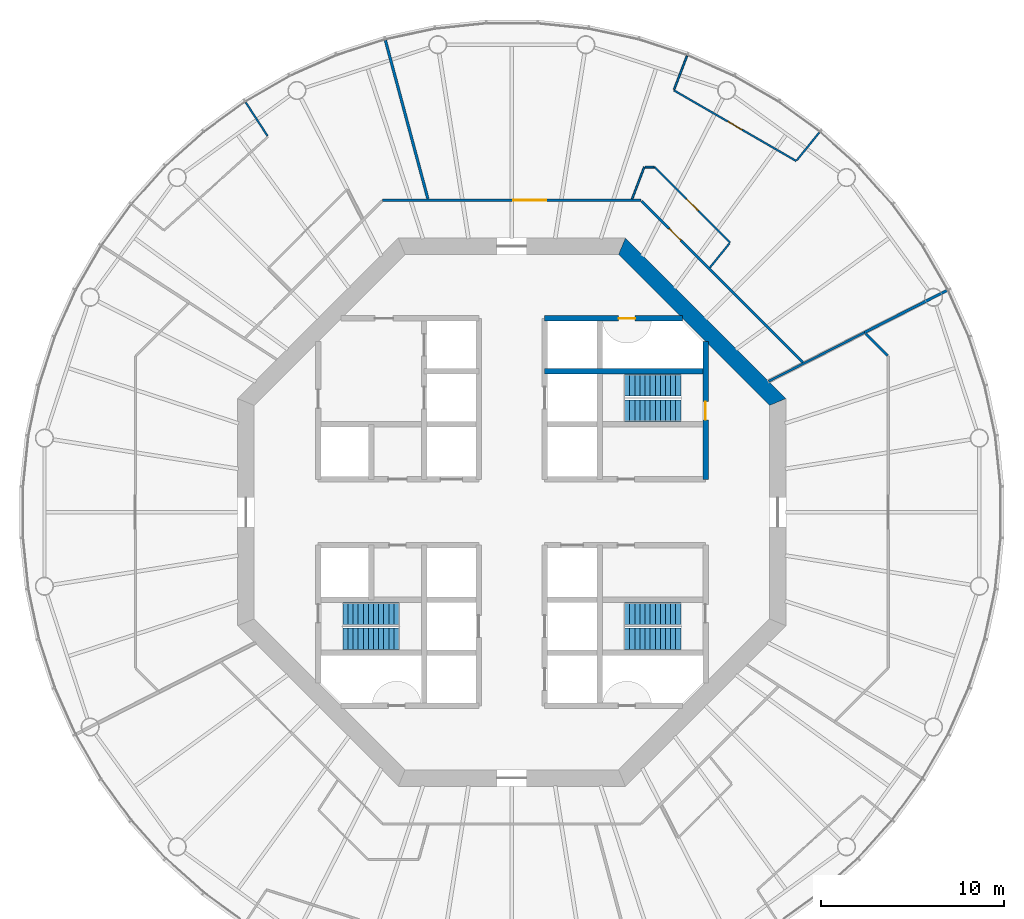
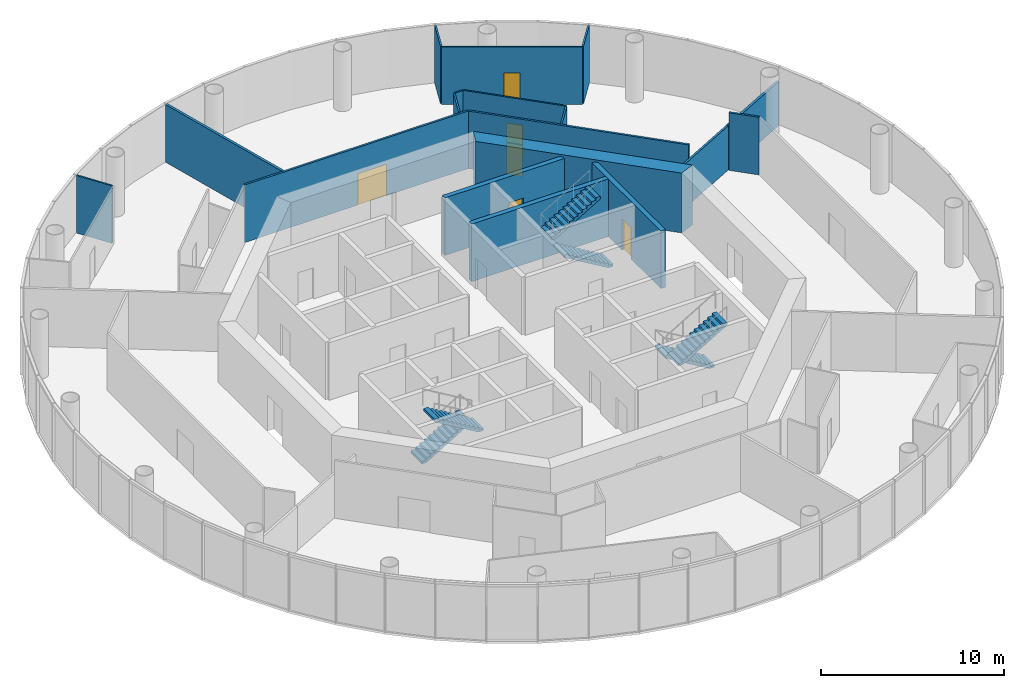
# One storey, part 5 of 12: 18 walls, 6 doors, 6 stair flights, 6 openings, 3 elements without a shape of their own.
"""IFC4 building model written with IfcOpenShell, lengths in metres."""

from ifc_helpers import new_model, si_unit, direction, frame, frame_2d, origin, place, context, subcontext, project, spatial, polyline, rectangle, outline, extrude, material, layer, layer_set, type_object, element, fill, aggregate, save


model = new_model("IFC4")

# Units and contexts
model_context = context("Model", 3, precision=1e-05, world=origin(), true_north=direction((0.0, 1.0)))
body_context = subcontext(model_context, "Body", "Model", "MODEL_VIEW")
ifc_project = project(units=[si_unit("LENGTHUNIT", "METRE"), si_unit("AREAUNIT", "SQUARE_METRE"), si_unit("VOLUMEUNIT", "CUBIC_METRE"), si_unit("PLANEANGLEUNIT", "RADIAN"), si_unit("MASSUNIT", "GRAM", prefix="KILO")], contexts=[model_context])

# Site, building, storey
site_placement = place(None, origin())
site = spatial("IfcSite", under=ifc_project, at=site_placement, CompositionType="ELEMENT")
building_placement = place(site_placement, origin())
building = spatial("IfcBuilding", under=site, at=building_placement, Name="Entoto Ring Tower", CompositionType="ELEMENT")
storey_placement = place(building_placement, frame((0.0, 0.0, 222.0)))
storey = spatial("IfcBuildingStorey", under=building, at=storey_placement, Name="L51", CompositionType="ELEMENT", Elevation=222.0)

# Wall, opening, door
ifc_material_1 = material(Name="Concrete C40/50", Category="concrete")
ifc_layer_1 = layer(ifc_material_1, 0.300048828125)
ifc_layer_set_1 = layer_set([ifc_layer_1], Name="Concrete C40/50")
wall_type_1 = type_object("IfcWallType", Name="Core enclosure wall 300 mm reinforced concrete", PredefinedType="SOLIDWALL", material=ifc_layer_set_1)
wall_1_placement = place(storey_placement, frame((100.60009765625, 81.800048828125, 0.0), z_axis=(0.0, 0.0, 1.0), x_axis=(0.0, 1.0, 0.0)))
wall_1 = element("IfcWall", 1, at=wall_1_placement, inside=storey, type_object=wall_type_1, Name="wall-L51-002", PredefinedType="SOLIDWALL", context=body_context, shape_type="SweptSolid", body=[
    extrude(rectangle(XDim=7.540283203125, YDim=0.300048828125, at=frame_2d((3.77001953125, 0.0))), origin(), (0.0, 0.0, 1.0), 3.85009765625),
])
opening_1_placement = place(wall_1_placement, frame((3.25, 0.0, 0.0)))
opening_1 = element("IfcOpeningElement", 2, at=opening_1_placement, cuts=wall_1, Name="Opening K-52", PredefinedType="OPENING", context=body_context, shape_type="SweptSolid", body=[
    extrude(rectangle(XDim=1.0, YDim=2.10009765625, at=frame_2d((0.5, 1.050048828125))), frame((0.0, 0.16015625, 0.0), z_axis=(0.0, -1.0, 0.0), x_axis=(1.0, 0.0, 0.0)), (0.0, 0.0, 1.0), 0.320068359375),
])
ifc_material_2 = material(Name="Steel door leaf, fire rated", Category="steel")
ifc_layer_2 = layer(ifc_material_2, 0.050048828125)
ifc_layer_set_2 = layer_set([ifc_layer_2], Name="Steel door leaf, fire rated")
door_type_1 = type_object("IfcDoorType", Name="Fire door FD60 1000 x 2100 single leaf", OperationType="NOTDEFINED", PredefinedType="DOOR", material=ifc_layer_set_2)
door_1_placement = place(opening_1_placement, origin())
door_1 = element("IfcDoor", 3, at=door_1_placement, inside=storey, type_object=door_type_1, Name="Door K-52", OperationType="SINGLE_SWING_LEFT", OverallHeight=2.10009765625, OverallWidth=1.0, PredefinedType="DOOR", context=body_context, shape_type="SweptSolid", body=[
    extrude(rectangle(XDim=1.0, YDim=2.10009765625, at=frame_2d((0.5, 1.050048828125))), frame((0.0, 0.02490234375, 0.0), z_axis=(0.0, -1.0, 0.0), x_axis=(1.0, 0.0, 0.0)), (0.0, 0.0, 1.0), 0.050048828125),
])
fill(opening_1, door_1)

# Wall
wall_2_placement = place(storey_placement, frame((91.800048828125, 87.699951171875, 0.0), z_axis=(0.0, 0.0, 1.0), x_axis=(1.0, 0.0, 0.0)))
element("IfcWall", 4, at=wall_2_placement, inside=storey, type_object=wall_type_1, Name="wall-L51-028", PredefinedType="SOLIDWALL", context=body_context, shape_type="SweptSolid", body=[
    extrude(rectangle(XDim=8.800048828125, YDim=0.300048828125, at=frame_2d((4.39990234375, 0.0))), origin(), (0.0, 0.0, 1.0), 3.85009765625),
])

# Wall, opening, door
wall_3_placement = place(storey_placement, frame((91.800048828125, 90.60009765625, 0.0), z_axis=(0.0, 0.0, 1.0), x_axis=(1.0, 0.0, 0.0)))
wall_3 = element("IfcWall", 5, at=wall_3_placement, inside=storey, type_object=wall_type_1, Name="wall-L51-030", PredefinedType="SOLIDWALL", context=body_context, shape_type="SweptSolid", body=[
    extrude(rectangle(XDim=7.540283203125, YDim=0.300048828125, at=frame_2d((3.77001953125, 0.0))), origin(), (0.0, 0.0, 1.0), 3.85009765625),
])
opening_2_placement = place(wall_3_placement, frame((4.050048828125, 0.0, 0.0)))
opening_2 = element("IfcOpeningElement", 6, at=opening_2_placement, cuts=wall_3, Name="Opening K-60", PredefinedType="OPENING", context=body_context, shape_type="SweptSolid", body=[
    extrude(rectangle(XDim=0.89990234375, YDim=2.10009765625, at=frame_2d((0.449951171875, 1.050048828125))), frame((0.0, 0.16015625, 0.0), z_axis=(0.0, -1.0, 0.0), x_axis=(1.0, 0.0, 0.0)), (0.0, 0.0, 1.0), 0.320068359375),
])
ifc_material_3 = material(Name="Steel door leaf, fire rated", Category="steel")
ifc_layer_3 = layer(ifc_material_3, 0.050048828125)
ifc_layer_set_3 = layer_set([ifc_layer_3], Name="Steel door leaf, fire rated")
door_type_2 = type_object("IfcDoorType", Name="Riser door FD60 900 x 2100 single leaf", OperationType="NOTDEFINED", PredefinedType="DOOR", material=ifc_layer_set_3)
door_2_placement = place(opening_2_placement, frame((0.89990234375, 0.0, 0.0), z_axis=(0.0, 0.0, 1.0), x_axis=(-1.0, 0.0, 0.0)))
door_2 = element("IfcDoor", 7, at=door_2_placement, inside=storey, type_object=door_type_2, Name="Door K-60", OperationType="SINGLE_SWING_RIGHT", OverallHeight=2.10009765625, OverallWidth=0.89990234375, PredefinedType="DOOR", context=body_context, shape_type="SweptSolid", body=[
    extrude(rectangle(XDim=0.89990234375, YDim=2.10009765625, at=frame_2d((0.449951171875, 1.050048828125))), frame((0.0, 0.02490234375, 0.0), z_axis=(0.0, -1.0, 0.0), x_axis=(1.0, 0.0, 0.0)), (0.0, 0.0, 1.0), 0.050048828125),
])
fill(opening_2, door_2)

# Wall
ifc_material_4 = material(Name="Concrete C50/60", Category="concrete")
ifc_layer_4 = layer(ifc_material_4, 0.89990234375)
ifc_layer_set_4 = layer_set([ifc_layer_4], Name="Concrete C50/60")
wall_type_2 = type_object("IfcWallType", Name="Core shear wall 900 mm reinforced concrete C50/60", PredefinedType="SHEAR", material=ifc_layer_set_4)
wall_4_placement = place(storey_placement, frame((104.550048828125, 86.02685546875, 0.0), z_axis=(0.0, 0.0, 1.0), x_axis=(-0.707106781187, 0.707106781187, 0.0)))
element("IfcWall", 8, at=wall_4_placement, inside=storey, type_object=wall_type_2, Name="wall-L51-core-1", PredefinedType="SHEAR", context=body_context, shape_type="SweptSolid", body=[
    extrude(outline(polyline([(-0.186279296875, -0.449951171875), (12.239990234375, -0.449951171875), (11.867431640625, 0.449951171875), (0.186279296875, 0.449951171875), (-0.186279296875, -0.449951171875)])), origin(), (0.0, 0.0, 1.0), 4.0),
])

# Wall, opening, door
ifc_material_5 = material(Name="Fire-resisting plasterboard on steel studs", Category="steel")
ifc_layer_5 = layer(ifc_material_5, 0.125)
ifc_layer_set_5 = layer_set([ifc_layer_5], Name="Fire-resisting plasterboard on steel studs")
wall_type_3 = type_object("IfcWallType", Name="Corridor wall 125 mm one-hour plasterboard on steel studs", PredefinedType="PARTITIONING", material=ifc_layer_set_5)
wall_5_placement = place(storey_placement, frame((82.9326171875, 97.0625, 0.0), z_axis=(0.0, 0.0, 1.0), x_axis=(1.0, 0.0, 0.0)))
wall_5 = element("IfcWall", 9, at=wall_5_placement, inside=storey, type_object=wall_type_3, Name="partition-L51-004", PredefinedType="PARTITIONING", context=body_context, shape_type="SweptSolid", body=[
    extrude(rectangle(XDim=14.134765625, YDim=0.125, at=frame_2d((7.0673828125, 0.0))), origin(), (0.0, 0.0, 1.0), 3.85009765625),
])
opening_3_placement = place(wall_5_placement, frame((7.156494140625, 0.0, 0.0)))
opening_3 = element("IfcOpeningElement", 10, at=opening_3_placement, cuts=wall_5, Name="Opening A22-D03", PredefinedType="OPENING", context=body_context, shape_type="SweptSolid", body=[
    extrude(rectangle(XDim=1.800048828125, YDim=2.10009765625, at=frame_2d((0.89990234375, 1.050048828125))), frame((0.0, 0.072509765625, 0.0), z_axis=(0.0, -1.0, 0.0), x_axis=(1.0, 0.0, 0.0)), (0.0, 0.0, 1.0), 0.14501953125),
])
ifc_material_6 = material(Name="Fire-resisting timber door set", Category="wood")
door_type_3 = type_object("IfcDoorType", Name="Door 1800 x 2100 double leaf FD30S fire door", OperationType="DOUBLE_DOOR_SINGLE_SWING", PredefinedType="DOOR", material=ifc_material_6)
door_3_placement = place(opening_3_placement, origin())
door_3 = element("IfcDoor", 11, at=door_3_placement, inside=storey, type_object=door_type_3, Name="Door A22-D03", OperationType="DOUBLE_DOOR_SINGLE_SWING", OverallHeight=2.10009765625, OverallWidth=1.800048828125, PredefinedType="DOOR", context=body_context, shape_type="SweptSolid", body=[
    extrude(rectangle(XDim=1.800048828125, YDim=2.10009765625, at=frame_2d((0.89990234375, 1.050048828125))), frame((0.0, 0.02490234375, 0.0), z_axis=(0.0, -1.0, 0.0), x_axis=(1.0, 0.0, 0.0)), (0.0, 0.0, 1.0), 0.050048828125),
])
fill(opening_3, door_3)

wall_6_placement = place(storey_placement, frame((105.924560546875, 88.20556640625, 0.0), z_axis=(0.0, 0.0, 1.0), x_axis=(-0.707106781187, 0.707106781187, 0.0)))
wall_6 = element("IfcWall", 12, at=wall_6_placement, inside=storey, type_object=wall_type_3, Name="partition-L51-006", PredefinedType="PARTITIONING", context=body_context, shape_type="SweptSolid", body=[
    extrude(rectangle(XDim=12.481689453125, YDim=0.125, at=frame_2d((6.24072265625, 0.0))), origin(), (0.0, 0.0, 1.0), 3.85009765625),
])
opening_4_placement = place(wall_6_placement, frame((9.4384765625, 0.0, 0.0)))
opening_4 = element("IfcOpeningElement", 13, at=opening_4_placement, cuts=wall_6, Name="Opening A22-D05", PredefinedType="OPENING", context=body_context, shape_type="SweptSolid", body=[
    extrude(rectangle(XDim=0.89990234375, YDim=2.10009765625, at=frame_2d((0.449951171875, 1.050048828125))), frame((0.0, 0.072509765625, 0.0), z_axis=(0.0, -1.0, 0.0), x_axis=(1.0, 0.0, 0.0)), (0.0, 0.0, 1.0), 0.14501953125),
])
ifc_material_7 = material(Name="Fire-resisting timber door set", Category="wood")
door_type_4 = type_object("IfcDoorType", Name="Door 1000 x 2100 single leaf FD30S fire door", OperationType="NOTDEFINED", PredefinedType="DOOR", material=ifc_material_7)
door_4_placement = place(opening_4_placement, frame((0.89990234375, 0.0, 0.0), z_axis=(0.0, 0.0, 1.0), x_axis=(-1.0, 0.0, 0.0)))
door_4 = element("IfcDoor", 14, at=door_4_placement, inside=storey, type_object=door_type_4, Name="Door A22-D05", OperationType="SINGLE_SWING_RIGHT", OverallHeight=2.10009765625, OverallWidth=0.89990234375, PredefinedType="DOOR", context=body_context, shape_type="SweptSolid", body=[
    extrude(rectangle(XDim=0.89990234375, YDim=2.10009765625, at=frame_2d((0.449951171875, 1.050048828125))), frame((0.0, 0.02490234375, 0.0), z_axis=(0.0, -1.0, 0.0), x_axis=(1.0, 0.0, 0.0)), (0.0, 0.0, 1.0), 0.050048828125),
])
fill(opening_4, door_4)

# Walls
wall_7_placement = place(storey_placement, frame((110.56884765625, 88.56396484375, 0.0), z_axis=(0.0, 0.0, 1.0), x_axis=(-0.707106781187, 0.707106781187, 0.0)))
element("IfcWall", 15, at=wall_7_placement, inside=storey, type_object=wall_type_3, Name="partition-L51-016", PredefinedType="PARTITIONING", context=body_context, shape_type="SweptSolid", body=[
    extrude(rectangle(XDim=1.6962890625, YDim=0.125, at=frame_2d((0.84814453125, 0.0))), origin(), (0.0, 0.0, 1.0), 3.85009765625),
])
ifc_material_8 = material(Name="Fire-resisting plasterboard on steel studs", Category="steel")
ifc_layer_6 = layer(ifc_material_8, 0.125)
ifc_layer_set_6 = layer_set([ifc_layer_6], Name="Fire-resisting plasterboard on steel studs")
wall_type_4 = type_object("IfcWallType", Name="Corridor wall 125 mm one-hour plasterboard on steel studs, 2950 mm high", PredefinedType="PARTITIONING", material=ifc_layer_set_6)
wall_8_placement = place(storey_placement, frame((104.052978515625, 87.160400390625, 0.0), z_axis=(0.0, 0.0, 1.0), x_axis=(0.891009750901, 0.453984166905, 0.0)))
element("IfcWall", 16, at=wall_8_placement, inside=storey, type_object=wall_type_4, Name="partition-L51-009", PredefinedType="PARTITIONING", context=body_context, shape_type="SweptSolid", body=[
    extrude(rectangle(XDim=5.88818359375, YDim=0.125, at=frame_2d((2.944091796875, 0.0))), origin(), (0.0, 0.0, 1.0), 2.949951171875),
])

# Wall, opening, door
ifc_material_9 = material(Name="Plasterboard on steel studs", Category="steel")
ifc_layer_7 = layer(ifc_material_9, 0.10009765625)
ifc_layer_set_7 = layer_set([ifc_layer_7], Name="Plasterboard on steel studs")
wall_type_5 = type_object("IfcWallType", Name="Partition 100 mm plasterboard on steel studs", PredefinedType="PARTITIONING", material=ifc_layer_set_7)
wall_9_placement = place(storey_placement, frame((105.56298828125, 99.21875, 0.0), z_axis=(0.0, 0.0, 1.0), x_axis=(-0.866024795611, 0.500001053386, 0.0)))
wall_9 = element("IfcWall", 17, at=wall_9_placement, inside=storey, type_object=wall_type_5, Name="partition-L51-024", PredefinedType="PARTITIONING", context=body_context, shape_type="SweptSolid", body=[
    extrude(rectangle(XDim=7.7373046875, YDim=0.10009765625, at=frame_2d((3.86865234375, 0.0))), origin(), (0.0, 0.0, 1.0), 3.85009765625),
])
opening_5_placement = place(wall_9_placement, frame((3.418701171875, 0.0, 0.0)))
opening_5 = element("IfcOpeningElement", 18, at=opening_5_placement, cuts=wall_9, Name="Opening A22-D06", PredefinedType="OPENING", context=body_context, shape_type="SweptSolid", body=[
    extrude(rectangle(XDim=0.89990234375, YDim=2.10009765625, at=frame_2d((0.449951171875, 1.050048828125))), frame((0.0, 0.06005859375, 0.0), z_axis=(0.0, -1.0, 0.0), x_axis=(1.0, 0.0, 0.0)), (0.0, 0.0, 1.0), 0.1201171875),
])
ifc_material_10 = material(Name="Veneered timber door leaf in timber frame", Category="wood")
door_type_5 = type_object("IfcDoorType", Name="Door 900 x 2100 single leaf timber veneer", OperationType="NOTDEFINED", PredefinedType="DOOR", material=ifc_material_10)
door_5_placement = place(opening_5_placement, frame((0.89990234375, 0.0, 0.0), z_axis=(0.0, 0.0, 1.0), x_axis=(-1.0, 0.0, 0.0)))
door_5 = element("IfcDoor", 19, at=door_5_placement, inside=storey, type_object=door_type_5, Name="Door A22-D06", OperationType="SINGLE_SWING_RIGHT", OverallHeight=2.10009765625, OverallWidth=0.89990234375, PredefinedType="DOOR", context=body_context, shape_type="SweptSolid", body=[
    extrude(rectangle(XDim=0.89990234375, YDim=2.10009765625, at=frame_2d((0.449951171875, 1.050048828125))), frame((0.0, 0.02490234375, 0.0), z_axis=(0.0, -1.0, 0.0), x_axis=(1.0, 0.0, 0.0)), (0.0, 0.0, 1.0), 0.050048828125),
])
fill(opening_5, door_5)

wall_10_placement = place(storey_placement, frame((101.948486328125, 94.75537109375, 0.0), z_axis=(0.0, 0.0, 1.0), x_axis=(-0.707106781187, 0.707106781187, 0.0)))
wall_10 = element("IfcWall", 20, at=wall_10_placement, inside=storey, type_object=wall_type_5, Name="partition-L51-028", PredefinedType="PARTITIONING", context=body_context, shape_type="SweptSolid", body=[
    extrude(rectangle(XDim=5.836669921875, YDim=0.10009765625, at=frame_2d((2.91845703125, 0.0))), origin(), (0.0, 0.0, 1.0), 3.85009765625),
])
opening_6_placement = place(wall_10_placement, frame((2.468505859375, 0.0, 0.0)))
opening_6 = element("IfcOpeningElement", 21, at=opening_6_placement, cuts=wall_10, Name="Opening A22-D04", PredefinedType="OPENING", context=body_context, shape_type="SweptSolid", body=[
    extrude(rectangle(XDim=0.89990234375, YDim=2.10009765625, at=frame_2d((0.449951171875, 1.050048828125))), frame((0.0, 0.06005859375, 0.0), z_axis=(0.0, -1.0, 0.0), x_axis=(1.0, 0.0, 0.0)), (0.0, 0.0, 1.0), 0.1201171875),
])
door_6_placement = place(opening_6_placement, origin())
door_6 = element("IfcDoor", 22, at=door_6_placement, inside=storey, type_object=door_type_5, Name="Door A22-D04", OperationType="SINGLE_SWING_LEFT", OverallHeight=2.10009765625, OverallWidth=0.89990234375, PredefinedType="DOOR", context=body_context, shape_type="SweptSolid", body=[
    extrude(rectangle(XDim=0.89990234375, YDim=2.10009765625, at=frame_2d((0.449951171875, 1.050048828125))), frame((0.0, 0.02490234375, 0.0), z_axis=(0.0, -1.0, 0.0), x_axis=(1.0, 0.0, 0.0)), (0.0, 0.0, 1.0), 0.050048828125),
])
fill(opening_6, door_6)

# Walls
wall_11_placement = place(storey_placement, frame((76.62939453125, 100.5888671875, 0.0), z_axis=(0.0, 0.0, 1.0), x_axis=(-0.544655329209, 0.838659986147, 0.0)))
element("IfcWall", 23, at=wall_11_placement, inside=storey, type_object=wall_type_5, Name="partition-L51-032", PredefinedType="PARTITIONING", context=body_context, shape_type="SweptSolid", body=[
    extrude(rectangle(XDim=2.190673828125, YDim=0.10009765625, at=frame_2d((1.09521484375, 0.0))), origin(), (0.0, 0.0, 1.0), 3.85009765625),
])
wall_12_placement = place(storey_placement, frame((98.880126953125, 103.133544921875, 0.0), z_axis=(0.0, 0.0, 1.0), x_axis=(0.358386544472, 0.933573288361, 0.0)))
element("IfcWall", 24, at=wall_12_placement, inside=storey, type_object=wall_type_5, Name="partition-L51-040", PredefinedType="PARTITIONING", context=body_context, shape_type="SweptSolid", body=[
    extrude(rectangle(XDim=1.96044921875, YDim=0.10009765625, at=frame_2d((0.980224609375, 0.0))), origin(), (0.0, 0.0, 1.0), 3.85009765625),
])
wall_13_placement = place(storey_placement, frame((105.593994140625, 99.257080078125, 0.0), z_axis=(0.0, 0.0, 1.0), x_axis=(0.629269861467, 0.777186876786, 0.0)))
element("IfcWall", 25, at=wall_13_placement, inside=storey, type_object=wall_type_5, Name="partition-L51-041", PredefinedType="PARTITIONING", context=body_context, shape_type="SweptSolid", body=[
    extrude(rectangle(XDim=1.9609375, YDim=0.10009765625, at=frame_2d((0.98046875, 0.0))), origin(), (0.0, 0.0, 1.0), 3.85009765625),
])
wall_14_placement = place(storey_placement, frame((96.58056640625, 97.142822265625, 0.0), z_axis=(0.0, 0.0, 1.0), x_axis=(0.358320548369, 0.933598620723, 0.0)))
element("IfcWall", 26, at=wall_14_placement, inside=storey, type_object=wall_type_5, Name="partition-L51-044", PredefinedType="PARTITIONING", context=body_context, shape_type="SweptSolid", body=[
    extrude(rectangle(XDim=1.863525390625, YDim=0.10009765625, at=frame_2d((0.931640625, 0.0))), origin(), (0.0, 0.0, 1.0), 3.85009765625),
])
wall_15_placement = place(storey_placement, frame((100.83984375, 93.385986328125, 0.0), z_axis=(0.0, 0.0, 1.0), x_axis=(0.629222838728, 0.777224947633, 0.0)))
element("IfcWall", 27, at=wall_15_placement, inside=storey, type_object=wall_type_5, Name="partition-L51-046", PredefinedType="PARTITIONING", context=body_context, shape_type="SweptSolid", body=[
    extrude(rectangle(XDim=1.712158203125, YDim=0.10009765625, at=frame_2d((0.85595703125, 0.0))), origin(), (0.0, 0.0, 1.0), 3.85009765625),
])
wall_16_placement = place(storey_placement, frame((97.294921875, 98.882568359375, 0.0), z_axis=(0.0, 0.0, 1.0), x_axis=(1.0, 0.0, 0.0)))
element("IfcWall", 28, at=wall_16_placement, inside=storey, type_object=wall_type_5, Name="partition-L51-048", PredefinedType="PARTITIONING", context=body_context, shape_type="SweptSolid", body=[
    extrude(rectangle(XDim=0.4912109375, YDim=0.10009765625, at=frame_2d((0.24560546875, 0.0))), origin(), (0.0, 0.0, 1.0), 3.85009765625),
])
ifc_material_11 = material(Name="Fire-resisting acoustic plasterboard on steel studs", Category="steel")
ifc_layer_8 = layer(ifc_material_11, 0.14990234375)
ifc_layer_set_8 = layer_set([ifc_layer_8], Name="Fire-resisting acoustic plasterboard on steel studs")
wall_type_6 = type_object("IfcWallType", Name="Party wall 150 mm one-hour acoustic plasterboard on steel studs", PredefinedType="PARTITIONING", material=ifc_layer_set_8)
wall_17_placement = place(storey_placement, frame((85.40625, 97.144287109375, 0.0), z_axis=(0.0, 0.0, 1.0), x_axis=(-0.258831999562, 0.965922355059, 0.0)))
element("IfcWall", 29, at=wall_17_placement, inside=storey, type_object=wall_type_6, Name="partition-L51-017", PredefinedType="PARTITIONING", context=body_context, shape_type="SweptSolid", body=[
    extrude(rectangle(XDim=8.990966796875, YDim=0.14990234375, at=frame_2d((4.49560546875, 0.0))), origin(), (0.0, 0.0, 1.0), 3.85009765625),
])
ifc_material_12 = material(Name="Fire-resisting acoustic plasterboard on steel studs", Category="steel")
ifc_layer_9 = layer(ifc_material_12, 0.14990234375)
ifc_layer_set_9 = layer_set([ifc_layer_9], Name="Fire-resisting acoustic plasterboard on steel studs")
wall_type_7 = type_object("IfcWallType", Name="Party wall 150 mm one-hour acoustic plasterboard on steel studs, 2950 mm high", PredefinedType="PARTITIONING", material=ifc_layer_set_9)
wall_18_placement = place(storey_placement, frame((109.299560546875, 89.83349609375, 0.0), z_axis=(0.0, 0.0, 1.0), x_axis=(0.890998412494, 0.454006419485, 0.0)))
element("IfcWall", 30, at=wall_18_placement, inside=storey, type_object=wall_type_7, Name="partition-L51-021", PredefinedType="PARTITIONING", context=body_context, shape_type="SweptSolid", body=[
    extrude(rectangle(XDim=5.07958984375, YDim=0.14990234375, at=frame_2d((2.539794921875, 0.0))), origin(), (0.0, 0.0, 1.0), 2.949951171875),
])

# Stair, stair flights
ifc_material_13 = material(Name="Concrete C40/50", Category="concrete")
stair_type = type_object("IfcStairType", Name="Exit stair 1200 mm dog-leg reinforced concrete", PredefinedType="HALF_TURN_STAIR", material=ifc_material_13)
stair_1_placement = place(storey_placement, origin())
stair_1 = element("IfcStair", 31, at=stair_1_placement, inside=storey, type_object=stair_type, Name="Exit stair 1", PredefinedType="HALF_TURN_STAIR")
ifc_material_14 = material(Name="Concrete C40/50", Category="concrete")
stair_flight_type = type_object("IfcStairFlightType", Name="Stair flight 1200 mm reinforced concrete", PredefinedType="STRAIGHT", material=ifc_material_14)
stair_flight_1_placement = place(storey_placement, frame((99.25, 85.550048828125, 0.0), z_axis=(0.0, 0.0, 1.0), x_axis=(-1.0, 0.0, 0.0)))
stair_flight_1 = element("IfcStairFlight", 32, at=stair_flight_1_placement, type_object=stair_flight_type, Name="ST1 flight 1", NumberOfRisers=12, NumberOfTreads=11, PredefinedType="STRAIGHT", RiserHeight=0.166666667, TreadLength=0.28, context=body_context, shape_type="SweptSolid", body=[
    extrude(outline(polyline([(0.0, 0.0), (0.0, 0.166748046875), (0.280029296875, 0.166748046875), (0.280029296875, 0.333251953125), (0.56005859375, 0.333251953125), (0.56005859375, 0.5), (0.840087890625, 0.5), (0.840087890625, 0.666748046875), (1.1201171875, 0.666748046875), (1.1201171875, 0.833251953125), (1.39990234375, 0.833251953125), (1.39990234375, 1.0), (1.679931640625, 1.0), (1.679931640625, 1.166748046875), (1.9599609375, 1.166748046875), (1.9599609375, 1.333251953125), (2.239990234375, 1.333251953125), (2.239990234375, 1.5), (2.52001953125, 1.5), (2.52001953125, 1.666748046875), (2.800048828125, 1.666748046875), (2.800048828125, 1.833251953125), (3.080078125, 1.833251953125), (3.080078125, 2.0), (3.080078125, 1.658935546875), (0.29296875, 0.0), (0.0, 0.0)])), frame((0.0, 0.60009765625, 0.0), z_axis=(0.0, -1.0, 0.0), x_axis=(1.0, 0.0, 0.0)), (0.0, 0.0, 1.0), 1.199951171875),
])
stair_flight_2_placement = place(storey_placement, frame((96.169921875, 86.949951171875, 2.0), z_axis=(0.0, 0.0, 1.0), x_axis=(1.0, 0.0, 0.0)))
stair_flight_2 = element("IfcStairFlight", 33, at=stair_flight_2_placement, type_object=stair_flight_type, Name="ST1 flight 2", NumberOfRisers=12, NumberOfTreads=11, PredefinedType="STRAIGHT", RiserHeight=0.166666667, TreadLength=0.28, context=body_context, shape_type="SweptSolid", body=[
    extrude(outline(polyline([(0.0, 0.0), (0.0, 0.166748046875), (0.280029296875, 0.166748046875), (0.280029296875, 0.333251953125), (0.56005859375, 0.333251953125), (0.56005859375, 0.5), (0.840087890625, 0.5), (0.840087890625, 0.666748046875), (1.1201171875, 0.666748046875), (1.1201171875, 0.833251953125), (1.39990234375, 0.833251953125), (1.39990234375, 1.0), (1.679931640625, 1.0), (1.679931640625, 1.166748046875), (1.9599609375, 1.166748046875), (1.9599609375, 1.333251953125), (2.239990234375, 1.333251953125), (2.239990234375, 1.5), (2.52001953125, 1.5), (2.52001953125, 1.666748046875), (2.800048828125, 1.666748046875), (2.800048828125, 1.833251953125), (3.080078125, 1.833251953125), (3.080078125, 2.0), (3.080078125, 1.658935546875), (0.29296875, 0.0), (0.0, 0.0)])), frame((0.0, 0.60009765625, 0.0), z_axis=(0.0, -1.0, 0.0), x_axis=(1.0, 0.0, 0.0)), (0.0, 0.0, 1.0), 1.199951171875),
])
aggregate(stair_1, [stair_flight_1, stair_flight_2])

stair_2_placement = place(storey_placement, origin())
stair_2 = element("IfcStair", 34, at=stair_2_placement, inside=storey, type_object=stair_type, Name="Exit stair 2", PredefinedType="HALF_TURN_STAIR")
stair_flight_3_placement = place(storey_placement, frame((80.75, 74.449951171875, 0.0), z_axis=(0.0, 0.0, 1.0), x_axis=(1.0, 0.0, 0.0)))
stair_flight_3 = element("IfcStairFlight", 35, at=stair_flight_3_placement, type_object=stair_flight_type, Name="ST2 flight 1", NumberOfRisers=12, NumberOfTreads=11, PredefinedType="STRAIGHT", RiserHeight=0.166666667, TreadLength=0.28, context=body_context, shape_type="SweptSolid", body=[
    extrude(outline(polyline([(0.0, 0.0), (0.0, 0.166748046875), (0.280029296875, 0.166748046875), (0.280029296875, 0.333251953125), (0.56005859375, 0.333251953125), (0.56005859375, 0.5), (0.840087890625, 0.5), (0.840087890625, 0.666748046875), (1.1201171875, 0.666748046875), (1.1201171875, 0.833251953125), (1.39990234375, 0.833251953125), (1.39990234375, 1.0), (1.679931640625, 1.0), (1.679931640625, 1.166748046875), (1.9599609375, 1.166748046875), (1.9599609375, 1.333251953125), (2.239990234375, 1.333251953125), (2.239990234375, 1.5), (2.52001953125, 1.5), (2.52001953125, 1.666748046875), (2.800048828125, 1.666748046875), (2.800048828125, 1.833251953125), (3.080078125, 1.833251953125), (3.080078125, 2.0), (3.080078125, 1.658935546875), (0.29296875, 0.0), (0.0, 0.0)])), frame((0.0, 0.60009765625, 0.0), z_axis=(0.0, -1.0, 0.0), x_axis=(1.0, 0.0, 0.0)), (0.0, 0.0, 1.0), 1.199951171875),
])
stair_flight_4_placement = place(storey_placement, frame((83.830078125, 73.050048828125, 2.0), z_axis=(0.0, 0.0, 1.0), x_axis=(-1.0, 0.0, 0.0)))
stair_flight_4 = element("IfcStairFlight", 36, at=stair_flight_4_placement, type_object=stair_flight_type, Name="ST2 flight 2", NumberOfRisers=12, NumberOfTreads=11, PredefinedType="STRAIGHT", RiserHeight=0.166666667, TreadLength=0.28, context=body_context, shape_type="SweptSolid", body=[
    extrude(outline(polyline([(0.0, 0.0), (0.0, 0.166748046875), (0.280029296875, 0.166748046875), (0.280029296875, 0.333251953125), (0.56005859375, 0.333251953125), (0.56005859375, 0.5), (0.840087890625, 0.5), (0.840087890625, 0.666748046875), (1.1201171875, 0.666748046875), (1.1201171875, 0.833251953125), (1.39990234375, 0.833251953125), (1.39990234375, 1.0), (1.679931640625, 1.0), (1.679931640625, 1.166748046875), (1.9599609375, 1.166748046875), (1.9599609375, 1.333251953125), (2.239990234375, 1.333251953125), (2.239990234375, 1.5), (2.52001953125, 1.5), (2.52001953125, 1.666748046875), (2.800048828125, 1.666748046875), (2.800048828125, 1.833251953125), (3.080078125, 1.833251953125), (3.080078125, 2.0), (3.080078125, 1.658935546875), (0.29296875, 0.0), (0.0, 0.0)])), frame((0.0, 0.60009765625, 0.0), z_axis=(0.0, -1.0, 0.0), x_axis=(1.0, 0.0, 0.0)), (0.0, 0.0, 1.0), 1.199951171875),
])
aggregate(stair_2, [stair_flight_3, stair_flight_4])

stair_3_placement = place(storey_placement, origin())
stair_3 = element("IfcStair", 37, at=stair_3_placement, inside=storey, type_object=stair_type, Name="Exit stair 3", PredefinedType="HALF_TURN_STAIR")
stair_flight_5_placement = place(storey_placement, frame((99.25, 74.449951171875, 0.0), z_axis=(0.0, 0.0, 1.0), x_axis=(-1.0, 0.0, 0.0)))
stair_flight_5 = element("IfcStairFlight", 38, at=stair_flight_5_placement, type_object=stair_flight_type, Name="ST3 flight 1", NumberOfRisers=12, NumberOfTreads=11, PredefinedType="STRAIGHT", RiserHeight=0.166666667, TreadLength=0.28, context=body_context, shape_type="SweptSolid", body=[
    extrude(outline(polyline([(0.0, 0.0), (0.0, 0.166748046875), (0.280029296875, 0.166748046875), (0.280029296875, 0.333251953125), (0.56005859375, 0.333251953125), (0.56005859375, 0.5), (0.840087890625, 0.5), (0.840087890625, 0.666748046875), (1.1201171875, 0.666748046875), (1.1201171875, 0.833251953125), (1.39990234375, 0.833251953125), (1.39990234375, 1.0), (1.679931640625, 1.0), (1.679931640625, 1.166748046875), (1.9599609375, 1.166748046875), (1.9599609375, 1.333251953125), (2.239990234375, 1.333251953125), (2.239990234375, 1.5), (2.52001953125, 1.5), (2.52001953125, 1.666748046875), (2.800048828125, 1.666748046875), (2.800048828125, 1.833251953125), (3.080078125, 1.833251953125), (3.080078125, 2.0), (3.080078125, 1.658935546875), (0.29296875, 0.0), (0.0, 0.0)])), frame((0.0, 0.60009765625, 0.0), z_axis=(0.0, -1.0, 0.0), x_axis=(1.0, 0.0, 0.0)), (0.0, 0.0, 1.0), 1.199951171875),
])
stair_flight_6_placement = place(storey_placement, frame((96.169921875, 73.050048828125, 2.0), z_axis=(0.0, 0.0, 1.0), x_axis=(1.0, 0.0, 0.0)))
stair_flight_6 = element("IfcStairFlight", 39, at=stair_flight_6_placement, type_object=stair_flight_type, Name="ST3 flight 2", NumberOfRisers=12, NumberOfTreads=11, PredefinedType="STRAIGHT", RiserHeight=0.166666667, TreadLength=0.28, context=body_context, shape_type="SweptSolid", body=[
    extrude(outline(polyline([(0.0, 0.0), (0.0, 0.166748046875), (0.280029296875, 0.166748046875), (0.280029296875, 0.333251953125), (0.56005859375, 0.333251953125), (0.56005859375, 0.5), (0.840087890625, 0.5), (0.840087890625, 0.666748046875), (1.1201171875, 0.666748046875), (1.1201171875, 0.833251953125), (1.39990234375, 0.833251953125), (1.39990234375, 1.0), (1.679931640625, 1.0), (1.679931640625, 1.166748046875), (1.9599609375, 1.166748046875), (1.9599609375, 1.333251953125), (2.239990234375, 1.333251953125), (2.239990234375, 1.5), (2.52001953125, 1.5), (2.52001953125, 1.666748046875), (2.800048828125, 1.666748046875), (2.800048828125, 1.833251953125), (3.080078125, 1.833251953125), (3.080078125, 2.0), (3.080078125, 1.658935546875), (0.29296875, 0.0), (0.0, 0.0)])), frame((0.0, 0.60009765625, 0.0), z_axis=(0.0, -1.0, 0.0), x_axis=(1.0, 0.0, 0.0)), (0.0, 0.0, 1.0), 1.199951171875),
])
aggregate(stair_3, [stair_flight_5, stair_flight_6])

save(model, "model.ifc")
